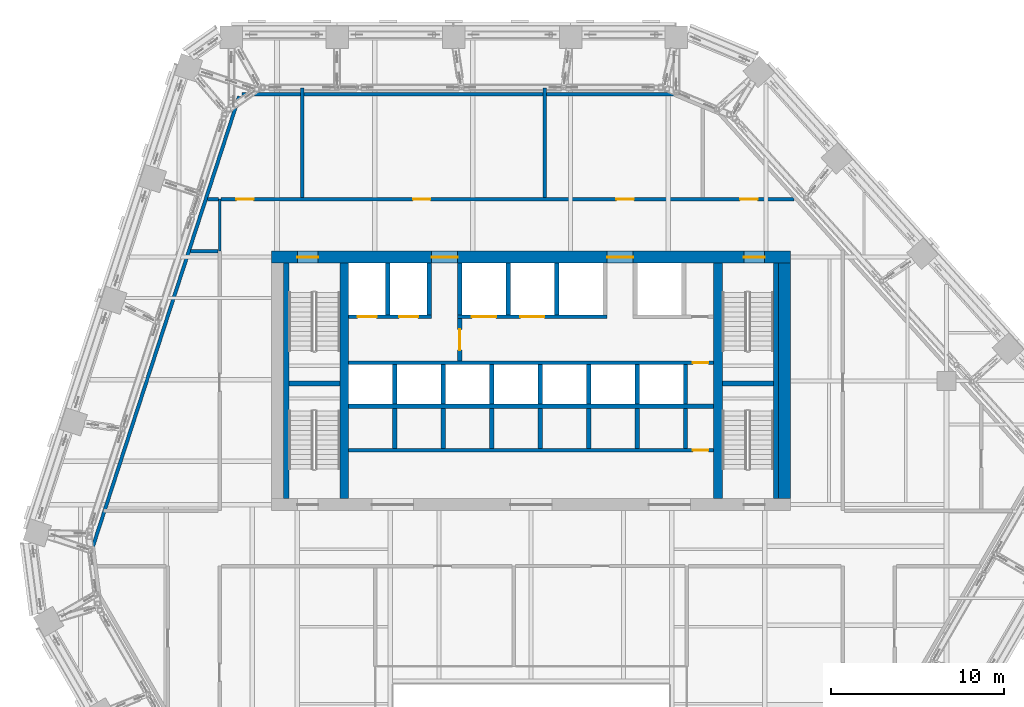
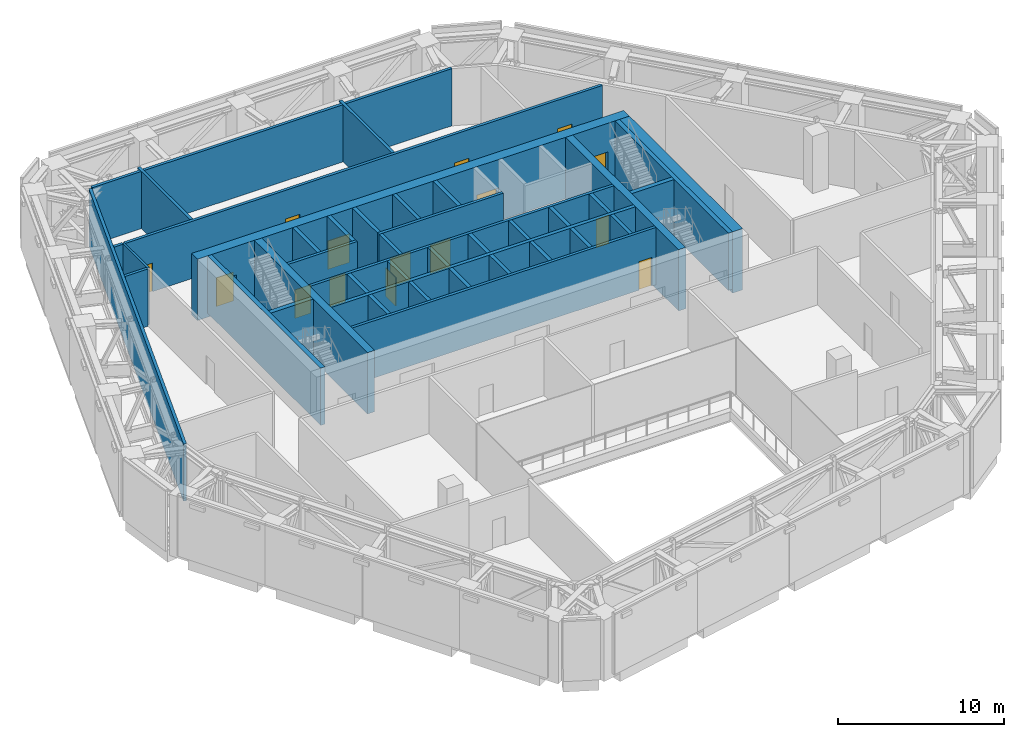
# One storey, part 17 of 26: 41 walls, 15 doors, 15 openings.
"""IFC4 building model written with IfcOpenShell, lengths in metres."""

from ifc_helpers import new_model, si_unit, direction, frame, frame_2d, origin, place, context, subcontext, project, spatial, rectangle, extrude, material, layer, layer_set, type_object, element, fill, save


model = new_model("IFC4")

# Units and contexts
model_context = context("Model", 3, precision=1e-05, world=origin(), true_north=direction((0.0, 1.0)))
body_context = subcontext(model_context, "Body", "Model", "MODEL_VIEW")
ifc_project = project(units=[si_unit("LENGTHUNIT", "METRE"), si_unit("AREAUNIT", "SQUARE_METRE"), si_unit("VOLUMEUNIT", "CUBIC_METRE"), si_unit("PLANEANGLEUNIT", "RADIAN"), si_unit("MASSUNIT", "GRAM", prefix="KILO")], contexts=[model_context])

# Site, building, storey
site_placement = place(None, origin())
site = spatial("IfcSite", under=ifc_project, at=site_placement, CompositionType="ELEMENT")
building_placement = place(site_placement, origin())
building = spatial("IfcBuilding", under=site, at=building_placement, Name="Isthmus Gate Tower", CompositionType="ELEMENT")
storey_placement = place(building_placement, frame((0.0, 0.0, 207.300048828125)))
storey = spatial("IfcBuildingStorey", under=building, at=storey_placement, Name="L52", CompositionType="ELEMENT", Elevation=207.300048828125)

# Wall, opening, door
ifc_material_1 = material(Name="Fire-rated blockwork masonry, 15 MPa", Category="masonry")
ifc_layer_1 = layer(ifc_material_1, 0.25)
ifc_layer_set_1 = layer_set([ifc_layer_1], Name="FIRE-FIGHTING LOBBY WALL 250 90 MIN")
wall_type_1 = type_object("IfcWallType", Name="FIRE-FIGHTING LOBBY WALL 250 90 MIN", PredefinedType="PARTITIONING", material=ifc_layer_set_1)
wall_1_placement = place(storey_placement, frame((-4.125, 8.64990234375, 0.0), z_axis=(0.0, 0.0, 1.0), x_axis=(0.0, 1.0, 0.0)))
wall_1 = element("IfcWall", 1, at=wall_1_placement, inside=storey, type_object=wall_type_1, Name="L52 FIRE-FIGHTING LOBBY WALL 250 90 MIN", PredefinedType="PARTITIONING", context=body_context, shape_type="SweptSolid", body=[
    extrude(rectangle(XDim=2.4501953125, YDim=0.25, at=frame_2d((1.22509765625, 0.0))), origin(), (0.0, 0.0, 1.0), 4.199951171875),
])
opening_1_placement = place(wall_1_placement, frame((0.625, 0.0, 0.0)))
opening_1 = element("IfcOpeningElement", 2, at=opening_1_placement, cuts=wall_1, Name="Opening DC-A07-01", PredefinedType="OPENING", context=body_context, shape_type="SweptSolid", body=[
    extrude(rectangle(XDim=1.199951171875, YDim=2.10009765625, at=frame_2d((0.60009765625, 1.050048828125))), frame((0.0, 0.135009765625, 0.0), z_axis=(0.0, -1.0, 0.0), x_axis=(1.0, 0.0, 0.0)), (0.0, 0.0, 1.0), 0.27001953125),
])
ifc_material_2 = material(Name="Steel door leaf, fire-rated", Category="steel")
door_type_1 = type_object("IfcDoorType", Name="LOBBY FIRE DOOR 1200 X 2100 90 MIN", OperationType="DOUBLE_DOOR_SINGLE_SWING", PredefinedType="DOOR", material=ifc_material_2)
door_1_placement = place(opening_1_placement, origin())
door_1 = element("IfcDoor", 3, at=door_1_placement, inside=storey, type_object=door_type_1, Name="Fire-fighting Lobby Door", OperationType="SINGLE_SWING_LEFT", OverallHeight=2.10009765625, OverallWidth=1.199951171875, PredefinedType="DOOR", context=body_context, shape_type="SweptSolid", body=[
    extrude(rectangle(XDim=1.199951171875, YDim=2.10009765625, at=frame_2d((0.60009765625, 1.050048828125))), frame((0.0, 0.02490234375, 0.0), z_axis=(0.0, -1.0, 0.0), x_axis=(1.0, 0.0, 0.0)), (0.0, 0.0, 1.0), 0.050048828125),
])
fill(opening_1, door_1)

# Walls
ifc_material_3 = material(Name="Concrete f'c 30 MPa", Category="concrete")
ifc_layer_2 = layer(ifc_material_3, 0.199951171875)
ifc_layer_set_2 = layer_set([ifc_layer_2], Name="Fire-rated block wall 200")
wall_type_2 = type_object("IfcWallType", Name="Fire-rated block wall 200", PredefinedType="PARTITIONING", material=ifc_layer_set_2)
wall_2_placement = place(storey_placement, frame((-19.665283203125, 15.0, 0.0), z_axis=(0.0, 0.0, 1.0), x_axis=(1.0, 0.0, 0.0)))
element("IfcWall", 4, at=wall_2_placement, inside=storey, type_object=wall_type_2, Name="Fire-rated wall", PredefinedType="PARTITIONING", context=body_context, shape_type="SweptSolid", body=[
    extrude(rectangle(XDim=1.565185546875, YDim=0.199951171875, at=frame_2d((0.78271484375, 0.0))), origin(), (0.0, 0.0, 1.0), 4.199951171875),
])
wall_3_placement = place(storey_placement, frame((-18.690673828125, 18.0, 0.0), z_axis=(0.0, 0.0, 1.0), x_axis=(1.0, 0.0, 0.0)))
element("IfcWall", 5, at=wall_3_placement, inside=storey, type_object=wall_type_2, Name="Fire-rated wall", PredefinedType="PARTITIONING", context=body_context, shape_type="SweptSolid", body=[
    extrude(rectangle(XDim=0.61572265625, YDim=0.199951171875, at=frame_2d((0.307861328125, 0.0))), origin(), (0.0, 0.0, 1.0), 4.199951171875),
])

# Wall, openings, doors
wall_4_placement = place(storey_placement, frame((-17.925048828125, 18.0, 0.0), z_axis=(0.0, 0.0, 1.0), x_axis=(1.0, 0.0, 0.0)))
wall_4 = element("IfcWall", 6, at=wall_4_placement, inside=storey, type_object=wall_type_2, Name="Fire-rated wall", PredefinedType="PARTITIONING", context=body_context, shape_type="SweptSolid", body=[
    extrude(rectangle(XDim=33.122314453125, YDim=0.199951171875, at=frame_2d((16.56103515625, 0.0))), origin(), (0.0, 0.0, 1.0), 4.199951171875),
])
opening_2_placement = place(wall_4_placement, frame((0.89990234375, 0.0, 0.0)))
opening_2 = element("IfcOpeningElement", 7, at=opening_2_placement, cuts=wall_4, Name="Opening DP52-01", PredefinedType="OPENING", context=body_context, shape_type="SweptSolid", body=[
    extrude(rectangle(XDim=1.0, YDim=2.10009765625, at=frame_2d((0.5, 1.050048828125))), frame((0.0, 0.10986328125, 0.0), z_axis=(0.0, -1.0, 0.0), x_axis=(1.0, 0.0, 0.0)), (0.0, 0.0, 1.0), 0.219970703125),
])
opening_3_placement = place(wall_4_placement, frame((11.108642578125, 0.0, 0.0)))
opening_3 = element("IfcOpeningElement", 8, at=opening_3_placement, cuts=wall_4, Name="Opening DP52-02", PredefinedType="OPENING", context=body_context, shape_type="SweptSolid", body=[
    extrude(rectangle(XDim=1.0, YDim=2.10009765625, at=frame_2d((0.5, 1.050048828125))), frame((0.0, 0.10986328125, 0.0), z_axis=(0.0, -1.0, 0.0), x_axis=(1.0, 0.0, 0.0)), (0.0, 0.0, 1.0), 0.219970703125),
])
opening_4_placement = place(wall_4_placement, frame((22.858642578125, 0.0, 0.0)))
opening_4 = element("IfcOpeningElement", 9, at=opening_4_placement, cuts=wall_4, Name="Opening DP52-03", PredefinedType="OPENING", context=body_context, shape_type="SweptSolid", body=[
    extrude(rectangle(XDim=1.0, YDim=2.10009765625, at=frame_2d((0.5, 1.050048828125))), frame((0.0, 0.10986328125, 0.0), z_axis=(0.0, -1.0, 0.0), x_axis=(1.0, 0.0, 0.0)), (0.0, 0.0, 1.0), 0.219970703125),
])
opening_5_placement = place(wall_4_placement, frame((30.007568359375, 0.0, 0.0)))
opening_5 = element("IfcOpeningElement", 10, at=opening_5_placement, cuts=wall_4, Name="Opening DP52-04", PredefinedType="OPENING", context=body_context, shape_type="SweptSolid", body=[
    extrude(rectangle(XDim=1.0, YDim=2.10009765625, at=frame_2d((0.5, 1.050048828125))), frame((0.0, 0.10986328125, 0.0), z_axis=(0.0, -1.0, 0.0), x_axis=(1.0, 0.0, 0.0)), (0.0, 0.0, 1.0), 0.219970703125),
])
ifc_material_4 = material(Name="Steel fire door with intumescent seals", Category="steel")
door_type_2 = type_object("IfcDoorType", Name="Fire door 1000 x 2100", OperationType="SINGLE_SWING_LEFT", PredefinedType="DOOR", material=ifc_material_4)
door_2_placement = place(opening_2_placement, origin())
door_2 = element("IfcDoor", 11, at=door_2_placement, inside=storey, type_object=door_type_2, Name="Door DP52-01", OperationType="SINGLE_SWING_LEFT", OverallHeight=2.10009765625, OverallWidth=1.0, PredefinedType="DOOR", context=body_context, shape_type="SweptSolid", body=[
    extrude(rectangle(XDim=1.0, YDim=2.10009765625, at=frame_2d((0.5, 1.050048828125))), frame((0.0, 0.02490234375, 0.0), z_axis=(0.0, -1.0, 0.0), x_axis=(1.0, 0.0, 0.0)), (0.0, 0.0, 1.0), 0.050048828125),
])
fill(opening_2, door_2)
door_3_placement = place(opening_3_placement, origin())
door_3 = element("IfcDoor", 12, at=door_3_placement, inside=storey, type_object=door_type_2, Name="Door DP52-02", OperationType="SINGLE_SWING_LEFT", OverallHeight=2.10009765625, OverallWidth=1.0, PredefinedType="DOOR", context=body_context, shape_type="SweptSolid", body=[
    extrude(rectangle(XDim=1.0, YDim=2.10009765625, at=frame_2d((0.5, 1.050048828125))), frame((0.0, 0.02490234375, 0.0), z_axis=(0.0, -1.0, 0.0), x_axis=(1.0, 0.0, 0.0)), (0.0, 0.0, 1.0), 0.050048828125),
])
fill(opening_3, door_3)
door_4_placement = place(opening_4_placement, origin())
door_4 = element("IfcDoor", 13, at=door_4_placement, inside=storey, type_object=door_type_2, Name="Door DP52-03", OperationType="SINGLE_SWING_LEFT", OverallHeight=2.10009765625, OverallWidth=1.0, PredefinedType="DOOR", context=body_context, shape_type="SweptSolid", body=[
    extrude(rectangle(XDim=1.0, YDim=2.10009765625, at=frame_2d((0.5, 1.050048828125))), frame((0.0, 0.02490234375, 0.0), z_axis=(0.0, -1.0, 0.0), x_axis=(1.0, 0.0, 0.0)), (0.0, 0.0, 1.0), 0.050048828125),
])
fill(opening_4, door_4)
door_5_placement = place(opening_5_placement, origin())
door_5 = element("IfcDoor", 14, at=door_5_placement, inside=storey, type_object=door_type_2, Name="Door DP52-04", OperationType="SINGLE_SWING_LEFT", OverallHeight=2.10009765625, OverallWidth=1.0, PredefinedType="DOOR", context=body_context, shape_type="SweptSolid", body=[
    extrude(rectangle(XDim=1.0, YDim=2.10009765625, at=frame_2d((0.5, 1.050048828125))), frame((0.0, 0.02490234375, 0.0), z_axis=(0.0, -1.0, 0.0), x_axis=(1.0, 0.0, 0.0)), (0.0, 0.0, 1.0), 0.050048828125),
])
fill(opening_5, door_5)

# Walls
for number, where, z_axis, x_axis, name in (
    (15, (-13.216064453125, 18.10009765625, 0.0), (0.0, 0.0, 1.0), (0.0, 1.0, 0.0), "Fire-rated wall"),
    (16, (0.783935546875, 18.10009765625, 0.0), (0.0, 0.0, 1.0), (0.0, 1.0, 0.0), "Fire-rated wall"),
):
    element("IfcWall", number, at=place(storey_placement, frame(where, z_axis=z_axis, x_axis=x_axis)), inside=storey, type_object=wall_type_2, Name=name, PredefinedType="PARTITIONING", context=body_context, shape_type="SweptSolid", body=[
        extrude(rectangle(XDim=6.329833984375, YDim=0.199951171875, at=frame_2d((3.1650390625, 0.0))), origin(), (0.0, 0.0, 1.0), 4.199951171875),
    ])
wall_5_placement = place(storey_placement, frame((-25.318359375, -2.07470703125, 0.0), z_axis=(0.0, 0.0, 1.0), x_axis=(0.309016450058, 0.951056693154, 0.0)))
element("IfcWall", 17, at=wall_5_placement, inside=storey, type_object=wall_type_2, Name="Fire-rated wall", PredefinedType="PARTITIONING", context=body_context, shape_type="SweptSolid", body=[
    extrude(rectangle(XDim=27.355712890625, YDim=0.199951171875, at=frame_2d((13.677734375, 0.0))), origin(), (0.0, 0.0, 1.0), 4.199951171875),
])
wall_6_placement = place(storey_placement, frame((-16.711669921875, 24.050048828125, 0.0), z_axis=(0.0, 0.0, 1.0), x_axis=(1.0, 0.0, 0.0)))
element("IfcWall", 18, at=wall_6_placement, inside=storey, type_object=wall_type_2, Name="Fire-rated wall", PredefinedType="PARTITIONING", context=body_context, shape_type="SweptSolid", body=[
    extrude(rectangle(XDim=24.961669921875, YDim=0.199951171875, at=frame_2d((12.48095703125, 0.0))), origin(), (0.0, 0.0, 1.0), 4.199951171875),
])
ifc_material_5 = material(Name="Gypsum board on cold-formed steel studs", Category="steel")
ifc_layer_3 = layer(ifc_material_5, 0.14990234375)
ifc_layer_set_3 = layer_set([ifc_layer_3])
wall_type_3 = type_object("IfcWallType", Name="Partition 150 gypsum board on steel studs", PredefinedType="PARTITIONING", material=ifc_layer_set_3)
wall_7_placement = place(storey_placement, frame((-18.0, 15.0009765625, 0.0), z_axis=(0.0, 0.0, 1.0), x_axis=(0.0, 1.0, 0.0)))
element("IfcWall", 19, at=wall_7_placement, inside=storey, type_object=wall_type_3, Name="Partition", PredefinedType="PARTITIONING", context=body_context, shape_type="SweptSolid", body=[
    extrude(rectangle(XDim=2.998046875, YDim=0.14990234375, at=frame_2d((1.4990234375, 0.0))), origin(), (0.0, 0.0, 1.0), 4.199951171875),
])
ifc_material_6 = material(Name="Concrete f'c 60 MPa", Category="concrete")
ifc_layer_4 = layer(ifc_material_6, 0.5)
ifc_layer_set_4 = layer_set([ifc_layer_4], Name="RC CORE SPINE WALL 500 F'C 60")
wall_type_4 = type_object("IfcWallType", Name="RC CORE SPINE WALL 500 F'C 60", PredefinedType="SOLIDWALL", material=ifc_layer_set_4)
for number, where, z_axis, x_axis, name in (
    (20, (-10.800048828125, 0.699951171875, -0.300048828125), (0.0, 0.0, 1.0), (0.0, 1.0, 0.0), "str-corewall-L52-SPW"),
    (21, (10.800048828125, 0.699951171875, -0.300048828125), (0.0, 0.0, 1.0), (0.0, 1.0, 0.0), "str-corewall-L52-SPE"),
):
    element("IfcWall", number, at=place(storey_placement, frame(where, z_axis=z_axis, x_axis=x_axis)), inside=storey, type_object=wall_type_4, Name=name, PredefinedType="SOLIDWALL", context=body_context, shape_type="SweptSolid", body=[
        extrude(rectangle(XDim=13.60009765625, YDim=0.5, at=frame_2d((6.800048828125, 0.0))), origin(), (0.0, 0.0, 1.0), 4.5),
    ])

# Wall, openings, doors
ifc_material_7 = material(Name="Concrete f'c 60 MPa", Category="concrete")
ifc_layer_5 = layer(ifc_material_7, 0.699951171875)
ifc_layer_set_5 = layer_set([ifc_layer_5], Name="RC CORE WALL 700 F'C 60")
wall_type_5 = type_object("IfcWallType", Name="RC CORE WALL 700 F'C 60", PredefinedType="SOLIDWALL", material=ifc_layer_set_5)
wall_8_placement = place(storey_placement, frame((-15.0, 14.64990234375, -0.300048828125), z_axis=(0.0, 0.0, 1.0), x_axis=(1.0, 0.0, 0.0)))
wall_8 = element("IfcWall", 22, at=wall_8_placement, inside=storey, type_object=wall_type_5, Name="str-corewall-L52-N", PredefinedType="SOLIDWALL", context=body_context, shape_type="SweptSolid", body=[
    extrude(rectangle(XDim=30.0, YDim=0.699951171875, at=frame_2d((15.0, 0.0))), origin(), (0.0, 0.0, 1.0), 4.5),
])
opening_6_placement = place(wall_8_placement, frame((9.25, 0.0, 0.300048828125)))
opening_6 = element("IfcOpeningElement", 23, at=opening_6_placement, cuts=wall_8, Name="Opening DC-A07-08", PredefinedType="OPENING", context=body_context, shape_type="SweptSolid", body=[
    extrude(rectangle(XDim=1.5, YDim=2.10009765625, at=frame_2d((0.75, 1.050048828125))), frame((0.0, 0.35986328125, 0.0), z_axis=(0.0, -1.0, 0.0), x_axis=(1.0, 0.0, 0.0)), (0.0, 0.0, 1.0), 0.719970703125),
])
opening_7_placement = place(wall_8_placement, frame((19.39990234375, 0.0, 0.300048828125)))
opening_7 = element("IfcOpeningElement", 24, at=opening_7_placement, cuts=wall_8, Name="Opening DC-A07-09", PredefinedType="OPENING", context=body_context, shape_type="SweptSolid", body=[
    extrude(rectangle(XDim=1.5, YDim=2.10009765625, at=frame_2d((0.75, 1.050048828125))), frame((0.0, 0.35986328125, 0.0), z_axis=(0.0, -1.0, 0.0), x_axis=(1.0, 0.0, 0.0)), (0.0, 0.0, 1.0), 0.719970703125),
])
opening_8_placement = place(wall_8_placement, frame((1.5, 0.0, 0.300048828125)))
opening_8 = element("IfcOpeningElement", 25, at=opening_8_placement, cuts=wall_8, Name="Opening DC-A07-10", PredefinedType="OPENING", context=body_context, shape_type="SweptSolid", body=[
    extrude(rectangle(XDim=1.199951171875, YDim=2.10009765625, at=frame_2d((0.60009765625, 1.050048828125))), frame((0.0, 0.35986328125, 0.0), z_axis=(0.0, -1.0, 0.0), x_axis=(1.0, 0.0, 0.0)), (0.0, 0.0, 1.0), 0.719970703125),
])
opening_9_placement = place(wall_8_placement, frame((27.300048828125, 0.0, 0.300048828125)))
opening_9 = element("IfcOpeningElement", 26, at=opening_9_placement, cuts=wall_8, Name="Opening DC-A07-11", PredefinedType="OPENING", context=body_context, shape_type="SweptSolid", body=[
    extrude(rectangle(XDim=1.199951171875, YDim=2.10009765625, at=frame_2d((0.60009765625, 1.050048828125))), frame((0.0, 0.35986328125, 0.0), z_axis=(0.0, -1.0, 0.0), x_axis=(1.0, 0.0, 0.0)), (0.0, 0.0, 1.0), 0.719970703125),
])
ifc_material_8 = material(Name="Steel door leaf, fire-rated", Category="steel")
door_type_3 = type_object("IfcDoorType", Name="LOBBY FIRE DOOR 1500 X 2100 60 MIN", OperationType="DOUBLE_DOOR_SINGLE_SWING", PredefinedType="DOOR", material=ifc_material_8)
door_6_placement = place(opening_7_placement, origin())
door_6 = element("IfcDoor", 27, at=door_6_placement, inside=storey, type_object=door_type_3, Name="Lobby Door PN-E", OperationType="DOUBLE_DOOR_SINGLE_SWING", OverallHeight=2.10009765625, OverallWidth=1.5, PredefinedType="DOOR", context=body_context, shape_type="SweptSolid", body=[
    extrude(rectangle(XDim=1.5, YDim=2.10009765625, at=frame_2d((0.75, 1.050048828125))), frame((0.0, 0.02490234375, 0.0), z_axis=(0.0, -1.0, 0.0), x_axis=(1.0, 0.0, 0.0)), (0.0, 0.0, 1.0), 0.050048828125),
])
fill(opening_7, door_6)
ifc_material_9 = material(Name="Steel door leaf, fire-rated", Category="steel")
door_type_4 = type_object("IfcDoorType", Name="LOBBY FIRE DOOR 1500 X 2100 90 MIN", OperationType="DOUBLE_DOOR_SINGLE_SWING", PredefinedType="DOOR", material=ifc_material_9)
door_7_placement = place(opening_6_placement, origin())
door_7 = element("IfcDoor", 28, at=door_7_placement, inside=storey, type_object=door_type_4, Name="Lobby Door PN-W", OperationType="DOUBLE_DOOR_SINGLE_SWING", OverallHeight=2.10009765625, OverallWidth=1.5, PredefinedType="DOOR", context=body_context, shape_type="SweptSolid", body=[
    extrude(rectangle(XDim=1.5, YDim=2.10009765625, at=frame_2d((0.75, 1.050048828125))), frame((0.0, 0.02490234375, 0.0), z_axis=(0.0, -1.0, 0.0), x_axis=(1.0, 0.0, 0.0)), (0.0, 0.0, 1.0), 0.050048828125),
])
fill(opening_6, door_7)
ifc_material_10 = material(Name="Steel door leaf, fire-rated", Category="steel")
door_type_5 = type_object("IfcDoorType", Name="STAIR FIRE DOOR 1200 X 2100 90 MIN", OperationType="SINGLE_SWING_LEFT", PredefinedType="DOOR", material=ifc_material_10)
door_8_placement = place(opening_8_placement, origin())
door_8 = element("IfcDoor", 29, at=door_8_placement, inside=storey, type_object=door_type_5, Name="Exit Stair 1 Door", OperationType="SINGLE_SWING_RIGHT", OverallHeight=2.10009765625, OverallWidth=1.199951171875, PredefinedType="DOOR", context=body_context, shape_type="SweptSolid", body=[
    extrude(rectangle(XDim=1.199951171875, YDim=2.10009765625, at=frame_2d((0.60009765625, 1.050048828125))), frame((0.0, 0.02490234375, 0.0), z_axis=(0.0, -1.0, 0.0), x_axis=(1.0, 0.0, 0.0)), (0.0, 0.0, 1.0), 0.050048828125),
])
fill(opening_8, door_8)
door_9_placement = place(opening_9_placement, origin())
door_9 = element("IfcDoor", 30, at=door_9_placement, inside=storey, type_object=door_type_5, Name="Exit Stair 2 Door", OperationType="SINGLE_SWING_LEFT", OverallHeight=2.10009765625, OverallWidth=1.199951171875, PredefinedType="DOOR", context=body_context, shape_type="SweptSolid", body=[
    extrude(rectangle(XDim=1.199951171875, YDim=2.10009765625, at=frame_2d((0.60009765625, 1.050048828125))), frame((0.0, 0.02490234375, 0.0), z_axis=(0.0, -1.0, 0.0), x_axis=(1.0, 0.0, 0.0)), (0.0, 0.0, 1.0), 0.050048828125),
])
fill(opening_9, door_9)

# Wall
wall_9_placement = place(storey_placement, frame((14.64990234375, 0.699951171875, -0.300048828125), z_axis=(0.0, 0.0, 1.0), x_axis=(0.0, 1.0, 0.0)))
element("IfcWall", 31, at=wall_9_placement, inside=storey, type_object=wall_type_5, Name="str-corewall-L52-E", PredefinedType="SOLIDWALL", context=body_context, shape_type="SweptSolid", body=[
    extrude(rectangle(XDim=13.60009765625, YDim=0.699951171875, at=frame_2d((6.800048828125, 0.0))), origin(), (0.0, 0.0, 1.0), 4.5),
])

# Wall, opening, door
ifc_material_11 = material(Name="Fire-rated blockwork masonry, 15 MPa", Category="masonry")
ifc_layer_6 = layer(ifc_material_11, 0.199951171875)
ifc_layer_set_6 = layer_set([ifc_layer_6], Name="SHAFT FRONT WALL 200 120 MIN")
wall_type_6 = type_object("IfcWallType", Name="SHAFT FRONT WALL 200 120 MIN", PredefinedType="PARTITIONING", material=ifc_layer_set_6)
wall_10_placement = place(storey_placement, frame((-10.550048828125, 3.5, 0.0), z_axis=(0.0, 0.0, 1.0), x_axis=(1.0, 0.0, 0.0)))
wall_10 = element("IfcWall", 32, at=wall_10_placement, inside=storey, type_object=wall_type_6, Name="L52 SHAFT FRONT WALL 200 120 MIN", PredefinedType="PARTITIONING", context=body_context, shape_type="SweptSolid", body=[
    extrude(rectangle(XDim=21.10009765625, YDim=0.199951171875, at=frame_2d((10.550048828125, 0.0))), origin(), (0.0, 0.0, 1.0), 4.199951171875),
])
opening_10_placement = place(wall_10_placement, frame((19.89990234375, 0.0, 0.0)))
opening_10 = element("IfcOpeningElement", 33, at=opening_10_placement, cuts=wall_10, Name="Opening DC-A07-02", PredefinedType="OPENING", context=body_context, shape_type="SweptSolid", body=[
    extrude(rectangle(XDim=0.89990234375, YDim=2.10009765625, at=frame_2d((0.449951171875, 1.050048828125))), frame((0.0, 0.10986328125, 0.0), z_axis=(0.0, -1.0, 0.0), x_axis=(1.0, 0.0, 0.0)), (0.0, 0.0, 1.0), 0.219970703125),
])
ifc_material_12 = material(Name="Steel door leaf, fire-rated", Category="steel")
door_type_6 = type_object("IfcDoorType", Name="RISER FIRE DOOR 900 X 2100 90 MIN", OperationType="SINGLE_SWING_LEFT", PredefinedType="DOOR", material=ifc_material_12)
door_10_placement = place(opening_10_placement, origin())
door_10 = element("IfcDoor", 34, at=door_10_placement, inside=storey, type_object=door_type_6, Name="Riser Door", OperationType="SINGLE_SWING_RIGHT", OverallHeight=2.10009765625, OverallWidth=0.89990234375, PredefinedType="DOOR", context=body_context, shape_type="SweptSolid", body=[
    extrude(rectangle(XDim=0.89990234375, YDim=2.10009765625, at=frame_2d((0.449951171875, 1.050048828125))), frame((0.0, 0.02490234375, 0.0), z_axis=(0.0, -1.0, 0.0), x_axis=(1.0, 0.0, 0.0)), (0.0, 0.0, 1.0), 0.050048828125),
])
fill(opening_10, door_10)

wall_11_placement = place(storey_placement, frame((-10.550048828125, 8.550048828125, 0.0), z_axis=(0.0, 0.0, 1.0), x_axis=(1.0, 0.0, 0.0)))
wall_11 = element("IfcWall", 35, at=wall_11_placement, inside=storey, type_object=wall_type_6, Name="L52 SHAFT FRONT WALL 200 120 MIN", PredefinedType="PARTITIONING", context=body_context, shape_type="SweptSolid", body=[
    extrude(rectangle(XDim=21.10009765625, YDim=0.199951171875, at=frame_2d((10.550048828125, 0.0))), origin(), (0.0, 0.0, 1.0), 4.199951171875),
])
opening_11_placement = place(wall_11_placement, frame((19.89990234375, 0.0, 0.0)))
opening_11 = element("IfcOpeningElement", 36, at=opening_11_placement, cuts=wall_11, Name="Opening DC-A07-03", PredefinedType="OPENING", context=body_context, shape_type="SweptSolid", body=[
    extrude(rectangle(XDim=0.89990234375, YDim=2.10009765625, at=frame_2d((0.449951171875, 1.050048828125))), frame((0.0, 0.10986328125, 0.0), z_axis=(0.0, -1.0, 0.0), x_axis=(1.0, 0.0, 0.0)), (0.0, 0.0, 1.0), 0.219970703125),
])
door_11_placement = place(opening_11_placement, origin())
door_11 = element("IfcDoor", 37, at=door_11_placement, inside=storey, type_object=door_type_6, Name="Riser Door", OperationType="SINGLE_SWING_RIGHT", OverallHeight=2.10009765625, OverallWidth=0.89990234375, PredefinedType="DOOR", context=body_context, shape_type="SweptSolid", body=[
    extrude(rectangle(XDim=0.89990234375, YDim=2.10009765625, at=frame_2d((0.449951171875, 1.050048828125))), frame((0.0, 0.02490234375, 0.0), z_axis=(0.0, -1.0, 0.0), x_axis=(1.0, 0.0, 0.0)), (0.0, 0.0, 1.0), 0.050048828125),
])
fill(opening_11, door_11)

# Wall, openings, doors
wall_12_placement = place(storey_placement, frame((-10.550048828125, 11.199951171875, 0.0), z_axis=(0.0, 0.0, 1.0), x_axis=(1.0, 0.0, 0.0)))
wall_12 = element("IfcWall", 38, at=wall_12_placement, inside=storey, type_object=wall_type_6, Name="L52 SHAFT FRONT WALL 200 120 MIN", PredefinedType="PARTITIONING", context=body_context, shape_type="SweptSolid", body=[
    extrude(rectangle(XDim=4.800048828125, YDim=0.199951171875, at=frame_2d((2.39990234375, 0.0))), origin(), (0.0, 0.0, 1.0), 4.199951171875),
])
opening_12_placement = place(wall_12_placement, frame((0.52490234375, 0.0, 0.0)))
opening_12 = element("IfcOpeningElement", 39, at=opening_12_placement, cuts=wall_12, Name="Opening LD-LF1", PredefinedType="OPENING", context=body_context, shape_type="SweptSolid", body=[
    extrude(rectangle(XDim=1.10009765625, YDim=2.10009765625, at=frame_2d((0.550048828125, 1.050048828125))), frame((0.0, 0.10986328125, 0.0), z_axis=(0.0, -1.0, 0.0), x_axis=(1.0, 0.0, 0.0)), (0.0, 0.0, 1.0), 0.219970703125),
])
opening_13_placement = place(wall_12_placement, frame((2.925048828125, 0.0, 0.0)))
opening_13 = element("IfcOpeningElement", 40, at=opening_13_placement, cuts=wall_12, Name="Opening LD-LF2", PredefinedType="OPENING", context=body_context, shape_type="SweptSolid", body=[
    extrude(rectangle(XDim=1.10009765625, YDim=2.10009765625, at=frame_2d((0.550048828125, 1.050048828125))), frame((0.0, 0.10986328125, 0.0), z_axis=(0.0, -1.0, 0.0), x_axis=(1.0, 0.0, 0.0)), (0.0, 0.0, 1.0), 0.219970703125),
])
ifc_material_13 = material(Name="Stainless steel sliding leaf", Category="steel")
door_type_7 = type_object("IfcDoorType", Name="LIFT LANDING FIRE DOOR 1100 X 2100 90 MIN", OperationType="DOUBLE_DOOR_SLIDING", PredefinedType="DOOR", material=ifc_material_13)
door_12_placement = place(opening_12_placement, origin())
door_12 = element("IfcDoor", 41, at=door_12_placement, inside=storey, type_object=door_type_7, Name="Lift Landing Door LF1", OperationType="DOUBLE_DOOR_SLIDING", OverallHeight=2.10009765625, OverallWidth=1.10009765625, PredefinedType="DOOR", context=body_context, shape_type="SweptSolid", body=[
    extrude(rectangle(XDim=1.10009765625, YDim=2.10009765625, at=frame_2d((0.550048828125, 1.050048828125))), frame((0.0, 0.02490234375, 0.0), z_axis=(0.0, -1.0, 0.0), x_axis=(1.0, 0.0, 0.0)), (0.0, 0.0, 1.0), 0.050048828125),
])
fill(opening_12, door_12)
door_13_placement = place(opening_13_placement, origin())
door_13 = element("IfcDoor", 42, at=door_13_placement, inside=storey, type_object=door_type_7, Name="Lift Landing Door LF2", OperationType="DOUBLE_DOOR_SLIDING", OverallHeight=2.10009765625, OverallWidth=1.10009765625, PredefinedType="DOOR", context=body_context, shape_type="SweptSolid", body=[
    extrude(rectangle(XDim=1.10009765625, YDim=2.10009765625, at=frame_2d((0.550048828125, 1.050048828125))), frame((0.0, 0.02490234375, 0.0), z_axis=(0.0, -1.0, 0.0), x_axis=(1.0, 0.0, 0.0)), (0.0, 0.0, 1.0), 0.050048828125),
])
fill(opening_13, door_13)

wall_13_placement = place(storey_placement, frame((-4.25, 11.199951171875, 0.0), z_axis=(0.0, 0.0, 1.0), x_axis=(1.0, 0.0, 0.0)))
wall_13 = element("IfcWall", 43, at=wall_13_placement, inside=storey, type_object=wall_type_6, Name="L52 SHAFT FRONT WALL 200 120 MIN", PredefinedType="PARTITIONING", context=body_context, shape_type="SweptSolid", body=[
    extrude(rectangle(XDim=8.64990234375, YDim=0.199951171875, at=frame_2d((4.324951171875, 0.0))), origin(), (0.0, 0.0, 1.0), 4.199951171875),
])
opening_14_placement = place(wall_13_placement, frame((0.824951171875, 0.0, 0.0)))
opening_14 = element("IfcOpeningElement", 44, at=opening_14_placement, cuts=wall_13, Name="Opening LD-LV1", PredefinedType="OPENING", context=body_context, shape_type="SweptSolid", body=[
    extrude(rectangle(XDim=1.39990234375, YDim=2.10009765625, at=frame_2d((0.699951171875, 1.050048828125))), frame((0.0, 0.10986328125, 0.0), z_axis=(0.0, -1.0, 0.0), x_axis=(1.0, 0.0, 0.0)), (0.0, 0.0, 1.0), 0.219970703125),
])
opening_15_placement = place(wall_13_placement, frame((3.625, 0.0, 0.0)))
opening_15 = element("IfcOpeningElement", 45, at=opening_15_placement, cuts=wall_13, Name="Opening LD-LV2", PredefinedType="OPENING", context=body_context, shape_type="SweptSolid", body=[
    extrude(rectangle(XDim=1.39990234375, YDim=2.10009765625, at=frame_2d((0.699951171875, 1.050048828125))), frame((0.0, 0.10986328125, 0.0), z_axis=(0.0, -1.0, 0.0), x_axis=(1.0, 0.0, 0.0)), (0.0, 0.0, 1.0), 0.219970703125),
])
ifc_material_14 = material(Name="Stainless steel sliding leaf", Category="steel")
door_type_8 = type_object("IfcDoorType", Name="LIFT LANDING FIRE DOOR 1400 X 2100 90 MIN", OperationType="DOUBLE_DOOR_SLIDING", PredefinedType="DOOR", material=ifc_material_14)
door_14_placement = place(opening_14_placement, origin())
door_14 = element("IfcDoor", 46, at=door_14_placement, inside=storey, type_object=door_type_8, Name="Lift Landing Door LV1", OperationType="DOUBLE_DOOR_SLIDING", OverallHeight=2.10009765625, OverallWidth=1.39990234375, PredefinedType="DOOR", context=body_context, shape_type="SweptSolid", body=[
    extrude(rectangle(XDim=1.39990234375, YDim=2.10009765625, at=frame_2d((0.699951171875, 1.050048828125))), frame((0.0, 0.02490234375, 0.0), z_axis=(0.0, -1.0, 0.0), x_axis=(1.0, 0.0, 0.0)), (0.0, 0.0, 1.0), 0.050048828125),
])
fill(opening_14, door_14)
door_15_placement = place(opening_15_placement, origin())
door_15 = element("IfcDoor", 47, at=door_15_placement, inside=storey, type_object=door_type_8, Name="Lift Landing Door LV2", OperationType="DOUBLE_DOOR_SLIDING", OverallHeight=2.10009765625, OverallWidth=1.39990234375, PredefinedType="DOOR", context=body_context, shape_type="SweptSolid", body=[
    extrude(rectangle(XDim=1.39990234375, YDim=2.10009765625, at=frame_2d((0.699951171875, 1.050048828125))), frame((0.0, 0.02490234375, 0.0), z_axis=(0.0, -1.0, 0.0), x_axis=(1.0, 0.0, 0.0)), (0.0, 0.0, 1.0), 0.050048828125),
])
fill(opening_15, door_15)

# Walls
ifc_material_15 = material(Name="Fire-rated blockwork masonry, 15 MPa", Category="masonry")
ifc_layer_7 = layer(ifc_material_15, 0.25)
ifc_layer_set_7 = layer_set([ifc_layer_7], Name="SHAFT WALL 250 120 MIN")
wall_type_7 = type_object("IfcWallType", Name="SHAFT WALL 250 120 MIN", PredefinedType="PARTITIONING", material=ifc_layer_set_7)
wall_14_placement = place(storey_placement, frame((-10.550048828125, 6.02490234375, 0.0), z_axis=(0.0, 0.0, 1.0), x_axis=(1.0, 0.0, 0.0)))
element("IfcWall", 48, at=wall_14_placement, inside=storey, type_object=wall_type_7, Name="L52 SHAFT WALL 250 120 MIN", PredefinedType="PARTITIONING", context=body_context, shape_type="SweptSolid", body=[
    extrude(rectangle(XDim=21.10009765625, YDim=0.25, at=frame_2d((10.550048828125, 0.0))), origin(), (0.0, 0.0, 1.0), 4.199951171875),
])
for number, where, z_axis, x_axis, name in (
    (49, (-7.875, 3.60009765625, 0.0), (0.0, 0.0, 1.0), (0.0, 1.0, 0.0), "L52 SHAFT WALL 250 120 MIN"),
    (50, (-5.074951171875, 3.60009765625, 0.0), (0.0, 0.0, 1.0), (0.0, 1.0, 0.0), "L52 SHAFT WALL 250 120 MIN"),
    (51, (-2.27490234375, 3.60009765625, 0.0), (0.0, 0.0, 1.0), (0.0, 1.0, 0.0), "L52 SHAFT WALL 250 120 MIN"),
    (52, (0.52490234375, 3.60009765625, 0.0), (0.0, 0.0, 1.0), (0.0, 1.0, 0.0), "L52 SHAFT WALL 250 120 MIN"),
    (53, (3.324951171875, 3.60009765625, 0.0), (0.0, 0.0, 1.0), (0.0, 1.0, 0.0), "L52 SHAFT WALL 250 120 MIN"),
    (54, (6.125, 3.60009765625, 0.0), (0.0, 0.0, 1.0), (0.0, 1.0, 0.0), "L52 SHAFT WALL 250 120 MIN"),
    (55, (8.925048828125, 3.60009765625, 0.0), (0.0, 0.0, 1.0), (0.0, 1.0, 0.0), "L52 SHAFT WALL 250 120 MIN"),
):
    element("IfcWall", number, at=place(storey_placement, frame(where, z_axis=z_axis, x_axis=x_axis)), inside=storey, type_object=wall_type_7, Name=name, PredefinedType="PARTITIONING", context=body_context, shape_type="SweptSolid", body=[
        extrude(rectangle(XDim=2.2998046875, YDim=0.25, at=frame_2d((1.14990234375, 0.0))), origin(), (0.0, 0.0, 1.0), 4.199951171875),
    ])
for number, where, z_axis, x_axis, name in (
    (56, (-7.875, 6.14990234375, 0.0), (0.0, 0.0, 1.0), (0.0, 1.0, 0.0), "L52 SHAFT WALL 250 120 MIN"),
    (57, (-5.074951171875, 6.14990234375, 0.0), (0.0, 0.0, 1.0), (0.0, 1.0, 0.0), "L52 SHAFT WALL 250 120 MIN"),
    (58, (-2.27490234375, 6.14990234375, 0.0), (0.0, 0.0, 1.0), (0.0, 1.0, 0.0), "L52 SHAFT WALL 250 120 MIN"),
    (59, (0.52490234375, 6.14990234375, 0.0), (0.0, 0.0, 1.0), (0.0, 1.0, 0.0), "L52 SHAFT WALL 250 120 MIN"),
    (60, (3.324951171875, 6.14990234375, 0.0), (0.0, 0.0, 1.0), (0.0, 1.0, 0.0), "L52 SHAFT WALL 250 120 MIN"),
    (61, (6.125, 6.14990234375, 0.0), (0.0, 0.0, 1.0), (0.0, 1.0, 0.0), "L52 SHAFT WALL 250 120 MIN"),
    (62, (8.925048828125, 6.14990234375, 0.0), (0.0, 0.0, 1.0), (0.0, 1.0, 0.0), "L52 SHAFT WALL 250 120 MIN"),
):
    element("IfcWall", number, at=place(storey_placement, frame(where, z_axis=z_axis, x_axis=x_axis)), inside=storey, type_object=wall_type_7, Name=name, PredefinedType="PARTITIONING", context=body_context, shape_type="SweptSolid", body=[
        extrude(rectangle(XDim=2.300048828125, YDim=0.25, at=frame_2d((1.14990234375, 0.0))), origin(), (0.0, 0.0, 1.0), 4.199951171875),
    ])
for number, where, z_axis, x_axis, name in (
    (63, (-8.27490234375, 11.300048828125, 0.0), (0.0, 0.0, 1.0), (0.0, 1.0, 0.0), "L52 SHAFT WALL 250 120 MIN"),
    (64, (-5.875, 11.300048828125, 0.0), (0.0, 0.0, 1.0), (0.0, 1.0, 0.0), "L52 SHAFT WALL 250 120 MIN"),
    (65, (-4.125, 11.300048828125, 0.0), (0.0, 0.0, 1.0), (0.0, 1.0, 0.0), "L52 SHAFT WALL 250 120 MIN"),
    (66, (-1.324951171875, 11.300048828125, 0.0), (0.0, 0.0, 1.0), (0.0, 1.0, 0.0), "L52 SHAFT WALL 250 120 MIN"),
    (67, (1.47509765625, 11.300048828125, 0.0), (0.0, 0.0, 1.0), (0.0, 1.0, 0.0), "L52 SHAFT WALL 250 120 MIN"),
):
    element("IfcWall", number, at=place(storey_placement, frame(where, z_axis=z_axis, x_axis=x_axis)), inside=storey, type_object=wall_type_7, Name=name, PredefinedType="PARTITIONING", context=body_context, shape_type="SweptSolid", body=[
        extrude(rectangle(XDim=3.0, YDim=0.25, at=frame_2d((1.5, 0.0))), origin(), (0.0, 0.0, 1.0), 4.199951171875),
    ])
ifc_material_16 = material(Name="Concrete f'c 40 MPa", Category="concrete")
ifc_layer_8 = layer(ifc_material_16, 0.300048828125)
ifc_layer_set_8 = layer_set([ifc_layer_8], Name="STAIR ENCLOSURE WALL 300 180 MIN")
wall_type_8 = type_object("IfcWallType", Name="STAIR ENCLOSURE WALL 300 180 MIN", PredefinedType="SOLIDWALL", material=ifc_layer_set_8)
wall_15_placement = place(storey_placement, frame((-14.0, 7.35009765625, 0.0), z_axis=(0.0, 0.0, 1.0), x_axis=(1.0, 0.0, 0.0)))
element("IfcWall", 68, at=wall_15_placement, inside=storey, type_object=wall_type_8, Name="L52 STAIR ENCLOSURE WALL 300 180 MIN", PredefinedType="SOLIDWALL", context=body_context, shape_type="SweptSolid", body=[
    extrude(rectangle(XDim=2.949951171875, YDim=0.300048828125, at=frame_2d((1.47509765625, 0.0))), origin(), (0.0, 0.0, 1.0), 4.199951171875),
])
wall_16_placement = place(storey_placement, frame((-14.14990234375, 0.699951171875, 0.0), z_axis=(0.0, 0.0, 1.0), x_axis=(0.0, 1.0, 0.0)))
element("IfcWall", 69, at=wall_16_placement, inside=storey, type_object=wall_type_8, Name="L52 STAIR ENCLOSURE WALL 300 180 MIN", PredefinedType="SOLIDWALL", context=body_context, shape_type="SweptSolid", body=[
    extrude(rectangle(XDim=13.60009765625, YDim=0.300048828125, at=frame_2d((6.800048828125, 0.0))), origin(), (0.0, 0.0, 1.0), 4.199951171875),
])
wall_17_placement = place(storey_placement, frame((11.050048828125, 7.35009765625, 0.0), z_axis=(0.0, 0.0, 1.0), x_axis=(1.0, 0.0, 0.0)))
element("IfcWall", 70, at=wall_17_placement, inside=storey, type_object=wall_type_8, Name="L52 STAIR ENCLOSURE WALL 300 180 MIN", PredefinedType="SOLIDWALL", context=body_context, shape_type="SweptSolid", body=[
    extrude(rectangle(XDim=2.949951171875, YDim=0.300048828125, at=frame_2d((1.47509765625, 0.0))), origin(), (0.0, 0.0, 1.0), 4.199951171875),
])
wall_18_placement = place(storey_placement, frame((14.14990234375, 0.699951171875, 0.0), z_axis=(0.0, 0.0, 1.0), x_axis=(0.0, 1.0, 0.0)))
element("IfcWall", 71, at=wall_18_placement, inside=storey, type_object=wall_type_8, Name="L52 STAIR ENCLOSURE WALL 300 180 MIN", PredefinedType="SOLIDWALL", context=body_context, shape_type="SweptSolid", body=[
    extrude(rectangle(XDim=13.60009765625, YDim=0.300048828125, at=frame_2d((6.800048828125, 0.0))), origin(), (0.0, 0.0, 1.0), 4.199951171875),
])

save(model, "model.ifc")
